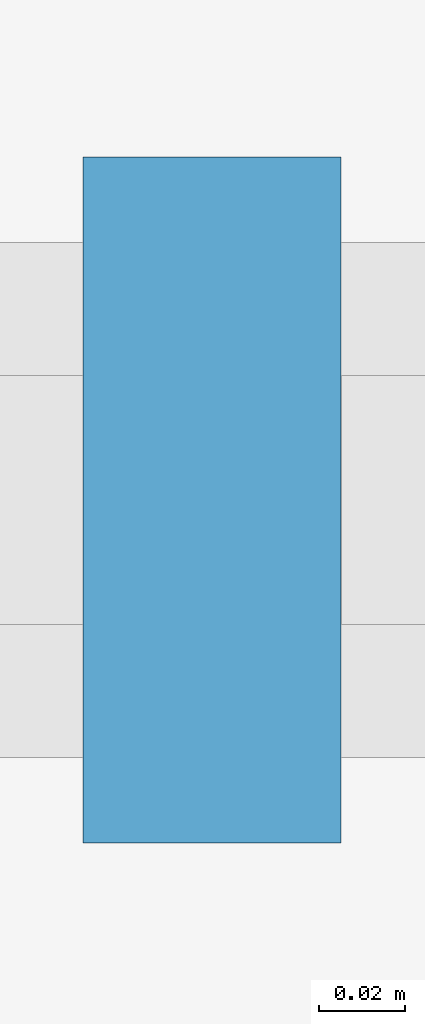
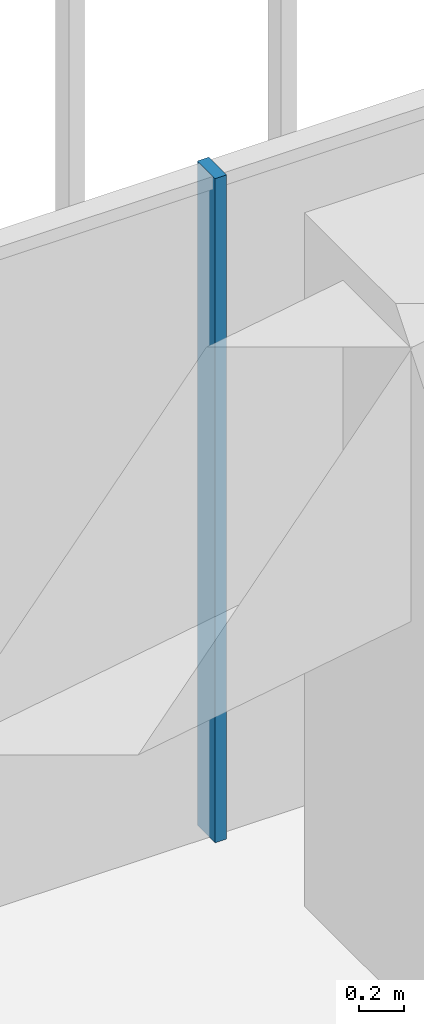
# One storey, part 67 of 127: 1 member, 1 element without a shape of its own.
"""IFC4 building model written with IfcOpenShell, lengths in metres."""

from ifc_helpers import new_model, si_unit, direction, frame, origin, origin_2d, place, context, subcontext, project, spatial, rectangle, extrude, material, material_profile, profile_set, type_object, element, aggregate, save


model = new_model("IFC4")

# Units and contexts
model_context = context("Model", 3, precision=1e-05, world=origin(), true_north=direction((0.0, 1.0)))
body_context = subcontext(model_context, "Body", "Model", "MODEL_VIEW")
ifc_project = project(units=[si_unit("LENGTHUNIT", "METRE"), si_unit("AREAUNIT", "SQUARE_METRE"), si_unit("VOLUMEUNIT", "CUBIC_METRE"), si_unit("PLANEANGLEUNIT", "RADIAN"), si_unit("MASSUNIT", "GRAM", prefix="KILO")], contexts=[model_context])

# Site, building, storey
site_placement = place(None, origin())
site = spatial("IfcSite", under=ifc_project, at=site_placement, CompositionType="ELEMENT")
building_placement = place(site_placement, origin())
building = spatial("IfcBuilding", under=site, at=building_placement, Name="Sandreach Pilgrim Tower", CompositionType="ELEMENT")
storey_placement = place(building_placement, frame((0.0, 0.0, 257.0)))
storey = spatial("IfcBuildingStorey", under=building, at=storey_placement, Name="L64", CompositionType="ELEMENT", Elevation=257.0)

# Curtain wall, member
ifc_material_1 = material(Name="Aluminium framed curtain wall", Category="aluminium")
curtain_wall_type = type_object("IfcCurtainWallType", Name="Suite tower curtain wall", PredefinedType="NOTDEFINED", material=ifc_material_1)
curtain_wall_placement = place(storey_placement, origin())
curtain_wall = element("IfcCurtainWall", 1, at=curtain_wall_placement, inside=storey, type_object=curtain_wall_type, Name="CW-4 L64 N", PredefinedType="NOTDEFINED")
ifc_material_2 = material(Name="Aluminium extrusion", Category="aluminium")
ifc_material_profile = material_profile(ifc_material_2, rectangle(XDim=0.06005859375, YDim=0.159912109375, at=origin_2d()), Name="CW-4M 60X160")
ifc_profile_set = profile_set([ifc_material_profile], Name="Aluminium extrusion")
member_type = type_object("IfcMemberType", Name="CW-4 mullion", PredefinedType="MULLION", material=ifc_profile_set)
member_placement = place(storey_placement, frame((-12.676513671875, 19.826416015625, 0.0), z_axis=(0.0, 0.0, 1.0), x_axis=(1.0, 0.0, 0.0)))
member = element("IfcMember", 2, at=member_placement, type_object=member_type, Name="CW-4 mullion 2", PredefinedType="MULLION", context=body_context, shape_type="SweptSolid", body=[
    extrude(rectangle(XDim=0.06005859375, YDim=0.159912109375, at=origin_2d()), origin(), (0.0, 0.0, 1.0), 3.639892578125),
])
aggregate(curtain_wall, [member])

save(model, "model.ifc")
